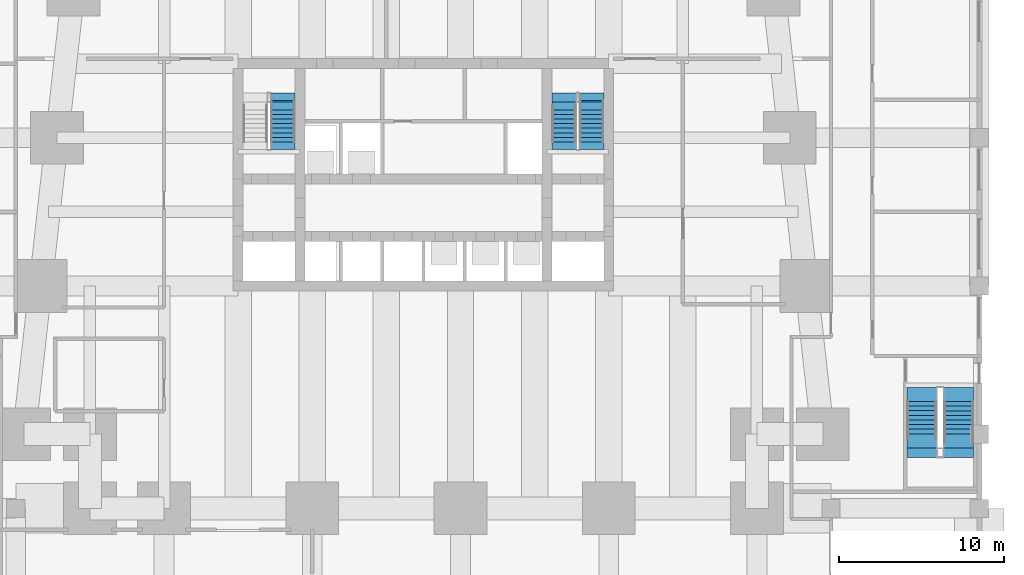
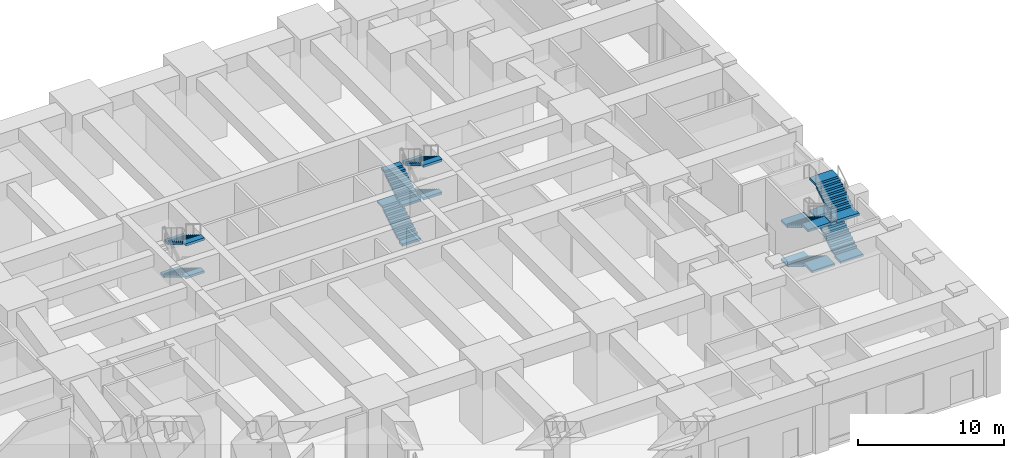
# One storey, part 8 of 13: 10 stair flights, 3 elements without a shape of their own.
"""IFC4 building model written with IfcOpenShell, lengths in metres."""

from ifc_helpers import new_model, si_unit, direction, frame, origin, place, context, subcontext, project, spatial, polyline, outline, extrude, material, type_object, element, aggregate, save


model = new_model("IFC4")

# Units and contexts
model_context = context("Model", 3, precision=1e-05, world=origin(), true_north=direction((0.0, 1.0)))
body_context = subcontext(model_context, "Body", "Model", "MODEL_VIEW")
ifc_project = project(units=[si_unit("LENGTHUNIT", "METRE"), si_unit("AREAUNIT", "SQUARE_METRE"), si_unit("VOLUMEUNIT", "CUBIC_METRE"), si_unit("PLANEANGLEUNIT", "RADIAN"), si_unit("MASSUNIT", "GRAM", prefix="KILO")], contexts=[model_context])

# Site, building, storey
site_placement = place(None, origin())
site = spatial("IfcSite", under=ifc_project, at=site_placement, CompositionType="ELEMENT")
building_placement = place(site_placement, origin())
building = spatial("IfcBuilding", under=site, at=building_placement, Name="Kilele Tower Hotel", CompositionType="ELEMENT")
storey_placement = place(building_placement, origin())
storey = spatial("IfcBuildingStorey", under=building, at=storey_placement, Name="L00", CompositionType="ELEMENT", Elevation=0.0)

# Stair, stair flights
ifc_material_1 = material(Name="Precast concrete C40/50", Category="concrete")
stair_type_1 = type_object("IfcStairType", Name="Stair 1475 x 6000", PredefinedType="HALF_TURN_STAIR", material=ifc_material_1)
stair_1_placement = place(storey_placement, origin())
stair_1 = element("IfcStair", 1, at=stair_1_placement, inside=storey, type_object=stair_type_1, Name="Stair 1 L00", PredefinedType="HALF_TURN_STAIR")
ifc_material_2 = material(Name="Precast concrete C40/50", Category="concrete")
stair_flight_type_1 = type_object("IfcStairFlightType", Name="Flight 1475 riser 171.4", PredefinedType="STRAIGHT", material=ifc_material_2)
stair_flight_1_placement = place(storey_placement, frame((16.21240234375, 24.760009765625, 1.54296875), z_axis=(0.0, 0.0, 1.0), x_axis=(0.0, -1.0, 0.0)))
stair_flight_1 = element("IfcStairFlight", 2, at=stair_flight_1_placement, type_object=stair_flight_type_1, Name="ST1 flight 2", NumberOfRisers=10, NumberOfTreads=9, PredefinedType="STRAIGHT", RiserHeight=0.171428571, TreadLength=0.28, context=body_context, shape_type="SweptSolid", body=[
    extrude(outline(polyline([(0.0, 0.0), (0.0, 0.17138671875), (0.280029296875, 0.17138671875), (0.280029296875, 0.3427734375), (0.56005859375, 0.3427734375), (0.56005859375, 0.514404296875), (0.840087890625, 0.514404296875), (0.840087890625, 0.685791015625), (1.1201171875, 0.685791015625), (1.1201171875, 0.857177734375), (1.39990234375, 0.857177734375), (1.39990234375, 1.028564453125), (1.679931640625, 1.028564453125), (1.679931640625, 1.199951171875), (1.9599609375, 1.199951171875), (1.9599609375, 1.371337890625), (2.239990234375, 1.371337890625), (2.239990234375, 1.54296875), (2.52001953125, 1.54296875), (2.52001953125, 1.71435546875), (2.52001953125, 1.3671875), (0.287109375, 0.0), (0.0, 0.0)])), frame((0.0, 0.737548828125, 0.0), z_axis=(0.0, -1.0, 0.0), x_axis=(1.0, 0.0, 0.0)), (0.0, 0.0, 1.0), 1.47509765625),
    extrude(outline(polyline([(0.0, -0.7373046875), (0.0, 0.737548828125), (-0.465087890625, 0.737548828125), (-0.465087890625, -0.7373046875), (0.0, -0.7373046875)])), frame((0.0, 0.0, -0.199951171875)), (0.0, 0.0, 1.0), 0.199951171875),
    extrude(outline(polyline([(2.985107421875, -0.7373046875), (2.985107421875, 0.737548828125), (2.52001953125, 0.737548828125), (2.52001953125, -0.7373046875), (2.985107421875, -0.7373046875)])), frame((0.0, 0.0, 1.51416015625)), (0.0, 0.0, 1.0), 0.199951171875),
])
stair_flight_2_placement = place(storey_placement, frame((16.21240234375, 24.199951171875, 4.628662109375), z_axis=(0.0, 0.0, 1.0), x_axis=(0.0, -1.0, 0.0)))
stair_flight_2 = element("IfcStairFlight", 3, at=stair_flight_2_placement, type_object=stair_flight_type_1, Name="ST1 flight 4", NumberOfRisers=8, NumberOfTreads=7, PredefinedType="STRAIGHT", RiserHeight=0.171428571, TreadLength=0.28, context=body_context, shape_type="SweptSolid", body=[
    extrude(outline(polyline([(0.0, 0.0), (0.0, 0.17138671875), (0.280029296875, 0.17138671875), (0.280029296875, 0.3427734375), (0.56005859375, 0.3427734375), (0.56005859375, 0.514404296875), (0.840087890625, 0.514404296875), (0.840087890625, 0.685791015625), (1.1201171875, 0.685791015625), (1.1201171875, 0.857177734375), (1.39990234375, 0.857177734375), (1.39990234375, 1.028564453125), (1.679931640625, 1.028564453125), (1.679931640625, 1.199951171875), (1.9599609375, 1.199951171875), (1.9599609375, 1.371337890625), (1.9599609375, 1.024169921875), (0.287109375, 0.0), (0.0, 0.0)])), frame((0.0, 0.737548828125, 0.0), z_axis=(0.0, -1.0, 0.0), x_axis=(1.0, 0.0, 0.0)), (0.0, 0.0, 1.0), 1.47509765625),
    extrude(outline(polyline([(0.0, -0.7373046875), (0.0, 0.737548828125), (-0.465087890625, 0.737548828125), (-0.465087890625, -0.7373046875), (0.0, -0.7373046875)])), frame((0.0, 0.0, -0.199951171875)), (0.0, 0.0, 1.0), 0.199951171875),
    extrude(outline(polyline([(2.425048828125, -0.7373046875), (2.425048828125, 0.737548828125), (1.9599609375, 0.737548828125), (1.9599609375, -0.7373046875), (2.425048828125, -0.7373046875)])), frame((0.0, 0.0, 1.17138671875)), (0.0, 0.0, 1.0), 0.199951171875),
])
aggregate(stair_1, [stair_flight_1, stair_flight_2])

stair_2_placement = place(storey_placement, origin())
stair_2 = element("IfcStair", 4, at=stair_2_placement, inside=storey, type_object=stair_type_1, Name="Stair 2 L00", PredefinedType="HALF_TURN_STAIR")
stair_flight_3_placement = place(storey_placement, frame((33.28759765625, 22.239990234375, 0.0), z_axis=(0.0, 0.0, 1.0), x_axis=(0.0, 1.0, 0.0)))
stair_flight_3 = element("IfcStairFlight", 5, at=stair_flight_3_placement, type_object=stair_flight_type_1, Name="ST2 flight 1", NumberOfRisers=9, NumberOfTreads=8, PredefinedType="STRAIGHT", RiserHeight=0.171428571, TreadLength=0.28, context=body_context, shape_type="SweptSolid", body=[
    extrude(outline(polyline([(0.0, 0.0), (0.0, 0.17138671875), (0.280029296875, 0.17138671875), (0.280029296875, 0.3427734375), (0.56005859375, 0.3427734375), (0.56005859375, 0.514404296875), (0.840087890625, 0.514404296875), (0.840087890625, 0.685791015625), (1.1201171875, 0.685791015625), (1.1201171875, 0.857177734375), (1.39990234375, 0.857177734375), (1.39990234375, 1.028564453125), (1.679931640625, 1.028564453125), (1.679931640625, 1.199951171875), (1.9599609375, 1.199951171875), (1.9599609375, 1.371337890625), (2.239990234375, 1.371337890625), (2.239990234375, 1.54296875), (2.239990234375, 1.195556640625), (0.287109375, 0.0), (0.0, 0.0)])), frame((0.0, 0.737548828125, 0.0), z_axis=(0.0, -1.0, 0.0), x_axis=(1.0, 0.0, 0.0)), (0.0, 0.0, 1.0), 1.47509765625),
    extrude(outline(polyline([(-0.465087890625, 0.737548828125), (-0.465087890625, -0.7373046875), (0.0, -0.7373046875), (0.0, 0.737548828125), (-0.465087890625, 0.737548828125)])), frame((0.0, 0.0, -0.199951171875)), (0.0, 0.0, 1.0), 0.199951171875),
    extrude(outline(polyline([(2.239990234375, 0.737548828125), (2.239990234375, -0.7373046875), (2.985107421875, -0.7373046875), (2.985107421875, 0.737548828125), (2.239990234375, 0.737548828125)])), frame((0.0, 0.0, 1.343017578125)), (0.0, 0.0, 1.0), 0.199951171875),
])
stair_flight_4_placement = place(storey_placement, frame((34.96240234375, 24.760009765625, 1.54296875), z_axis=(0.0, 0.0, 1.0), x_axis=(0.0, -1.0, 0.0)))
stair_flight_4 = element("IfcStairFlight", 6, at=stair_flight_4_placement, type_object=stair_flight_type_1, Name="ST2 flight 2", NumberOfRisers=10, NumberOfTreads=9, PredefinedType="STRAIGHT", RiserHeight=0.171428571, TreadLength=0.28, context=body_context, shape_type="SweptSolid", body=[
    extrude(outline(polyline([(0.0, 0.0), (0.0, 0.17138671875), (0.280029296875, 0.17138671875), (0.280029296875, 0.3427734375), (0.56005859375, 0.3427734375), (0.56005859375, 0.514404296875), (0.840087890625, 0.514404296875), (0.840087890625, 0.685791015625), (1.1201171875, 0.685791015625), (1.1201171875, 0.857177734375), (1.39990234375, 0.857177734375), (1.39990234375, 1.028564453125), (1.679931640625, 1.028564453125), (1.679931640625, 1.199951171875), (1.9599609375, 1.199951171875), (1.9599609375, 1.371337890625), (2.239990234375, 1.371337890625), (2.239990234375, 1.54296875), (2.52001953125, 1.54296875), (2.52001953125, 1.71435546875), (2.52001953125, 1.3671875), (0.287109375, 0.0), (0.0, 0.0)])), frame((0.0, 0.737548828125, 0.0), z_axis=(0.0, -1.0, 0.0), x_axis=(1.0, 0.0, 0.0)), (0.0, 0.0, 1.0), 1.47509765625),
    extrude(outline(polyline([(0.0, -0.7373046875), (0.0, 0.737548828125), (-0.465087890625, 0.737548828125), (-0.465087890625, -0.7373046875), (0.0, -0.7373046875)])), frame((0.0, 0.0, -0.199951171875)), (0.0, 0.0, 1.0), 0.199951171875),
    extrude(outline(polyline([(2.985107421875, -0.7373046875), (2.985107421875, 0.737548828125), (2.52001953125, 0.737548828125), (2.52001953125, -0.7373046875), (2.985107421875, -0.7373046875)])), frame((0.0, 0.0, 1.51416015625)), (0.0, 0.0, 1.0), 0.199951171875),
])
stair_flight_5_placement = place(storey_placement, frame((33.28759765625, 22.239990234375, 3.257080078125), z_axis=(0.0, 0.0, 1.0), x_axis=(0.0, 1.0, 0.0)))
stair_flight_5 = element("IfcStairFlight", 7, at=stair_flight_5_placement, type_object=stair_flight_type_1, Name="ST2 flight 3", NumberOfRisers=8, NumberOfTreads=7, PredefinedType="STRAIGHT", RiserHeight=0.171428571, TreadLength=0.28, context=body_context, shape_type="SweptSolid", body=[
    extrude(outline(polyline([(0.0, 0.0), (0.0, 0.17138671875), (0.280029296875, 0.17138671875), (0.280029296875, 0.3427734375), (0.56005859375, 0.3427734375), (0.56005859375, 0.514404296875), (0.840087890625, 0.514404296875), (0.840087890625, 0.685791015625), (1.1201171875, 0.685791015625), (1.1201171875, 0.857177734375), (1.39990234375, 0.857177734375), (1.39990234375, 1.028564453125), (1.679931640625, 1.028564453125), (1.679931640625, 1.199951171875), (1.9599609375, 1.199951171875), (1.9599609375, 1.371337890625), (1.9599609375, 1.024169921875), (0.287109375, 0.0), (0.0, 0.0)])), frame((0.0, 0.737548828125, 0.0), z_axis=(0.0, -1.0, 0.0), x_axis=(1.0, 0.0, 0.0)), (0.0, 0.0, 1.0), 1.47509765625),
    extrude(outline(polyline([(-0.465087890625, 0.737548828125), (-0.465087890625, -0.7373046875), (0.0, -0.7373046875), (0.0, 0.737548828125), (-0.465087890625, 0.737548828125)])), frame((0.0, 0.0, -0.199951171875)), (0.0, 0.0, 1.0), 0.199951171875),
    extrude(outline(polyline([(1.9599609375, 0.737548828125), (1.9599609375, -0.7373046875), (2.425048828125, -0.7373046875), (2.425048828125, 0.737548828125), (1.9599609375, 0.737548828125)])), frame((0.0, 0.0, 1.171630859375)), (0.0, 0.0, 1.0), 0.199951171875),
])
stair_flight_6_placement = place(storey_placement, frame((34.96240234375, 24.199951171875, 4.628662109375), z_axis=(0.0, 0.0, 1.0), x_axis=(0.0, -1.0, 0.0)))
stair_flight_6 = element("IfcStairFlight", 8, at=stair_flight_6_placement, type_object=stair_flight_type_1, Name="ST2 flight 4", NumberOfRisers=8, NumberOfTreads=7, PredefinedType="STRAIGHT", RiserHeight=0.171428571, TreadLength=0.28, context=body_context, shape_type="SweptSolid", body=[
    extrude(outline(polyline([(0.0, 0.0), (0.0, 0.17138671875), (0.280029296875, 0.17138671875), (0.280029296875, 0.3427734375), (0.56005859375, 0.3427734375), (0.56005859375, 0.514404296875), (0.840087890625, 0.514404296875), (0.840087890625, 0.685791015625), (1.1201171875, 0.685791015625), (1.1201171875, 0.857177734375), (1.39990234375, 0.857177734375), (1.39990234375, 1.028564453125), (1.679931640625, 1.028564453125), (1.679931640625, 1.199951171875), (1.9599609375, 1.199951171875), (1.9599609375, 1.371337890625), (1.9599609375, 1.024169921875), (0.287109375, 0.0), (0.0, 0.0)])), frame((0.0, 0.737548828125, 0.0), z_axis=(0.0, -1.0, 0.0), x_axis=(1.0, 0.0, 0.0)), (0.0, 0.0, 1.0), 1.47509765625),
    extrude(outline(polyline([(0.0, -0.7373046875), (0.0, 0.737548828125), (-0.465087890625, 0.737548828125), (-0.465087890625, -0.7373046875), (0.0, -0.7373046875)])), frame((0.0, 0.0, -0.199951171875)), (0.0, 0.0, 1.0), 0.199951171875),
    extrude(outline(polyline([(2.425048828125, -0.7373046875), (2.425048828125, 0.737548828125), (1.9599609375, 0.737548828125), (1.9599609375, -0.7373046875), (2.425048828125, -0.7373046875)])), frame((0.0, 0.0, 1.17138671875)), (0.0, 0.0, 1.0), 0.199951171875),
])
aggregate(stair_2, [stair_flight_3, stair_flight_4, stair_flight_5, stair_flight_6])

ifc_material_3 = material(Name="Precast concrete C40/50", Category="concrete")
stair_type_2 = type_object("IfcStairType", Name="Stair 1800 x 6000", PredefinedType="HALF_TURN_STAIR", material=ifc_material_3)
stair_3_placement = place(storey_placement, origin())
stair_3 = element("IfcStair", 9, at=stair_3_placement, inside=storey, type_object=stair_type_2, Name="Stair 5 L00", PredefinedType="HALF_TURN_STAIR")
ifc_material_4 = material(Name="Precast concrete C40/50", Category="concrete")
stair_flight_type_2 = type_object("IfcStairFlightType", Name="Flight 1800 riser 171.4", PredefinedType="STRAIGHT", material=ifc_material_4)
stair_flight_7_placement = place(storey_placement, frame((55.0, 6.485107421875, 0.0), z_axis=(0.0, 0.0, 1.0), x_axis=(0.0, -1.0, 0.0)))
stair_flight_7 = element("IfcStairFlight", 10, at=stair_flight_7_placement, type_object=stair_flight_type_2, Name="ST5 flight 1", NumberOfRisers=9, NumberOfTreads=8, PredefinedType="STRAIGHT", RiserHeight=0.171428571, TreadLength=0.28, context=body_context, shape_type="SweptSolid", body=[
    extrude(outline(polyline([(0.0, 0.0), (0.0, 0.17138671875), (0.280029296875, 0.17138671875), (0.280029296875, 0.3427734375), (0.56005859375, 0.3427734375), (0.56005859375, 0.514404296875), (0.840087890625, 0.514404296875), (0.840087890625, 0.685791015625), (1.1201171875, 0.685791015625), (1.1201171875, 0.857177734375), (1.39990234375, 0.857177734375), (1.39990234375, 1.028564453125), (1.679931640625, 1.028564453125), (1.679931640625, 1.199951171875), (1.9599609375, 1.199951171875), (1.9599609375, 1.371337890625), (2.239990234375, 1.371337890625), (2.239990234375, 1.54296875), (2.239990234375, 1.195556640625), (0.287109375, 0.0), (0.0, 0.0)])), frame((0.0, 0.89990234375, 0.0), z_axis=(0.0, -1.0, 0.0), x_axis=(1.0, 0.0, 0.0)), (0.0, 0.0, 1.0), 1.800048828125),
    extrude(outline(polyline([(0.0, -0.89990234375), (0.0, 0.89990234375), (-0.864990234375, 0.89990234375), (-0.864990234375, -0.89990234375), (0.0, -0.89990234375)])), frame((0.0, 0.0, -0.199951171875)), (0.0, 0.0, 1.0), 0.199951171875),
    extrude(outline(polyline([(3.385009765625, -0.89990234375), (3.385009765625, 0.89990234375), (2.239990234375, 0.89990234375), (2.239990234375, -0.89990234375), (3.385009765625, -0.89990234375)])), frame((0.0, 0.0, 1.343017578125)), (0.0, 0.0, 1.0), 0.199951171875),
])
stair_flight_8_placement = place(storey_placement, frame((57.25, 3.965087890625, 1.54296875), z_axis=(0.0, 0.0, 1.0), x_axis=(0.0, 1.0, 0.0)))
stair_flight_8 = element("IfcStairFlight", 11, at=stair_flight_8_placement, type_object=stair_flight_type_2, Name="ST5 flight 2", NumberOfRisers=10, NumberOfTreads=9, PredefinedType="STRAIGHT", RiserHeight=0.171428571, TreadLength=0.28, context=body_context, shape_type="SweptSolid", body=[
    extrude(outline(polyline([(0.0, 0.0), (0.0, 0.17138671875), (0.280029296875, 0.17138671875), (0.280029296875, 0.3427734375), (0.56005859375, 0.3427734375), (0.56005859375, 0.514404296875), (0.840087890625, 0.514404296875), (0.840087890625, 0.685791015625), (1.1201171875, 0.685791015625), (1.1201171875, 0.857177734375), (1.39990234375, 0.857177734375), (1.39990234375, 1.028564453125), (1.679931640625, 1.028564453125), (1.679931640625, 1.199951171875), (1.9599609375, 1.199951171875), (1.9599609375, 1.371337890625), (2.239990234375, 1.371337890625), (2.239990234375, 1.54296875), (2.52001953125, 1.54296875), (2.52001953125, 1.71435546875), (2.52001953125, 1.3671875), (0.287109375, 0.0), (0.0, 0.0)])), frame((0.0, 0.89990234375, 0.0), z_axis=(0.0, -1.0, 0.0), x_axis=(1.0, 0.0, 0.0)), (0.0, 0.0, 1.0), 1.800048828125),
    extrude(outline(polyline([(-0.864990234375, 0.89990234375), (-0.864990234375, -0.89990234375), (0.0, -0.89990234375), (0.0, 0.89990234375), (-0.864990234375, 0.89990234375)])), frame((0.0, 0.0, -0.199951171875)), (0.0, 0.0, 1.0), 0.199951171875),
    extrude(outline(polyline([(2.52001953125, 0.89990234375), (2.52001953125, -0.89990234375), (3.385009765625, -0.89990234375), (3.385009765625, 0.89990234375), (2.52001953125, 0.89990234375)])), frame((0.0, 0.0, 1.51416015625)), (0.0, 0.0, 1.0), 0.199951171875),
])
stair_flight_9_placement = place(storey_placement, frame((55.0, 6.485107421875, 3.257080078125), z_axis=(0.0, 0.0, 1.0), x_axis=(0.0, -1.0, 0.0)))
stair_flight_9 = element("IfcStairFlight", 12, at=stair_flight_9_placement, type_object=stair_flight_type_2, Name="ST5 flight 3", NumberOfRisers=8, NumberOfTreads=7, PredefinedType="STRAIGHT", RiserHeight=0.171428571, TreadLength=0.28, context=body_context, shape_type="SweptSolid", body=[
    extrude(outline(polyline([(0.0, 0.0), (0.0, 0.17138671875), (0.280029296875, 0.17138671875), (0.280029296875, 0.3427734375), (0.56005859375, 0.3427734375), (0.56005859375, 0.514404296875), (0.840087890625, 0.514404296875), (0.840087890625, 0.685791015625), (1.1201171875, 0.685791015625), (1.1201171875, 0.857177734375), (1.39990234375, 0.857177734375), (1.39990234375, 1.028564453125), (1.679931640625, 1.028564453125), (1.679931640625, 1.199951171875), (1.9599609375, 1.199951171875), (1.9599609375, 1.371337890625), (1.9599609375, 1.024169921875), (0.287109375, 0.0), (0.0, 0.0)])), frame((0.0, 0.89990234375, 0.0), z_axis=(0.0, -1.0, 0.0), x_axis=(1.0, 0.0, 0.0)), (0.0, 0.0, 1.0), 1.800048828125),
    extrude(outline(polyline([(0.0, -0.89990234375), (0.0, 0.89990234375), (-0.864990234375, 0.89990234375), (-0.864990234375, -0.89990234375), (0.0, -0.89990234375)])), frame((0.0, 0.0, -0.199951171875)), (0.0, 0.0, 1.0), 0.199951171875),
    extrude(outline(polyline([(2.8251953125, -0.89990234375), (2.8251953125, 0.89990234375), (1.960205078125, 0.89990234375), (1.960205078125, -0.89990234375), (2.8251953125, -0.89990234375)])), frame((0.0, 0.0, 1.171630859375)), (0.0, 0.0, 1.0), 0.199951171875),
])
stair_flight_10_placement = place(storey_placement, frame((57.25, 4.52490234375, 4.628662109375), z_axis=(0.0, 0.0, 1.0), x_axis=(0.0, 1.0, 0.0)))
stair_flight_10 = element("IfcStairFlight", 13, at=stair_flight_10_placement, type_object=stair_flight_type_2, Name="ST5 flight 4", NumberOfRisers=8, NumberOfTreads=7, PredefinedType="STRAIGHT", RiserHeight=0.171428571, TreadLength=0.28, context=body_context, shape_type="SweptSolid", body=[
    extrude(outline(polyline([(0.0, 0.0), (0.0, 0.17138671875), (0.280029296875, 0.17138671875), (0.280029296875, 0.3427734375), (0.56005859375, 0.3427734375), (0.56005859375, 0.514404296875), (0.840087890625, 0.514404296875), (0.840087890625, 0.685791015625), (1.1201171875, 0.685791015625), (1.1201171875, 0.857177734375), (1.39990234375, 0.857177734375), (1.39990234375, 1.028564453125), (1.679931640625, 1.028564453125), (1.679931640625, 1.199951171875), (1.9599609375, 1.199951171875), (1.9599609375, 1.371337890625), (1.9599609375, 1.024169921875), (0.287109375, 0.0), (0.0, 0.0)])), frame((0.0, 0.89990234375, 0.0), z_axis=(0.0, -1.0, 0.0), x_axis=(1.0, 0.0, 0.0)), (0.0, 0.0, 1.0), 1.800048828125),
    extrude(outline(polyline([(-0.864990234375, 0.89990234375), (-0.864990234375, -0.89990234375), (0.0, -0.89990234375), (0.0, 0.89990234375), (-0.864990234375, 0.89990234375)])), frame((0.0, 0.0, -0.199951171875)), (0.0, 0.0, 1.0), 0.199951171875),
    extrude(outline(polyline([(1.960205078125, 0.89990234375), (1.960205078125, -0.89990234375), (2.8251953125, -0.89990234375), (2.8251953125, 0.89990234375), (1.960205078125, 0.89990234375)])), frame((0.0, 0.0, 1.17138671875)), (0.0, 0.0, 1.0), 0.199951171875),
])
aggregate(stair_3, [stair_flight_7, stair_flight_8, stair_flight_9, stair_flight_10])

save(model, "model.ifc")
